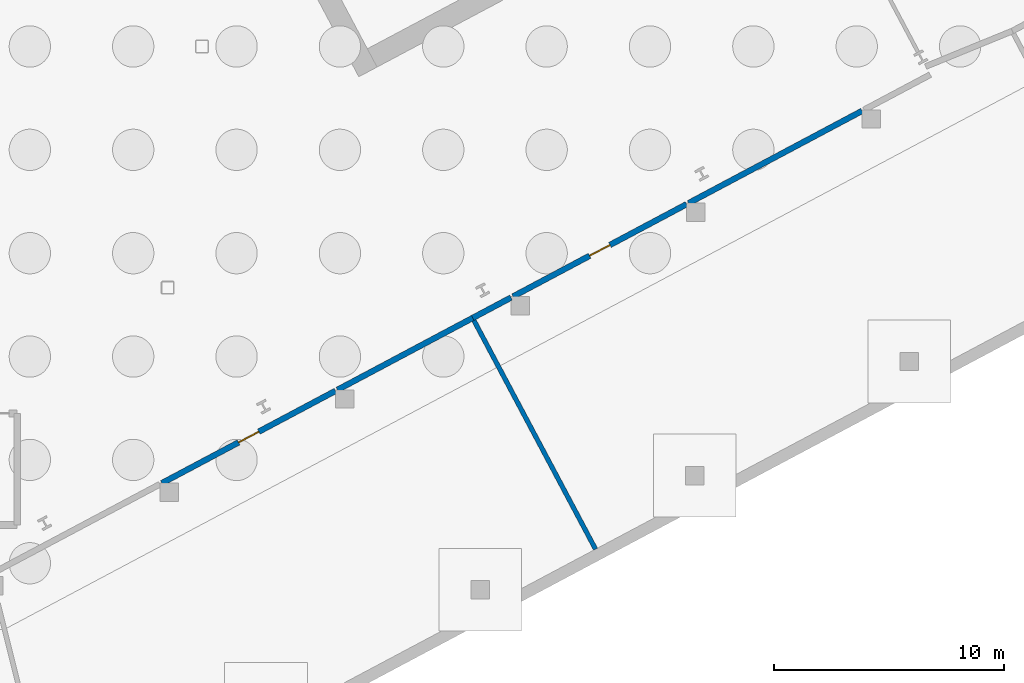
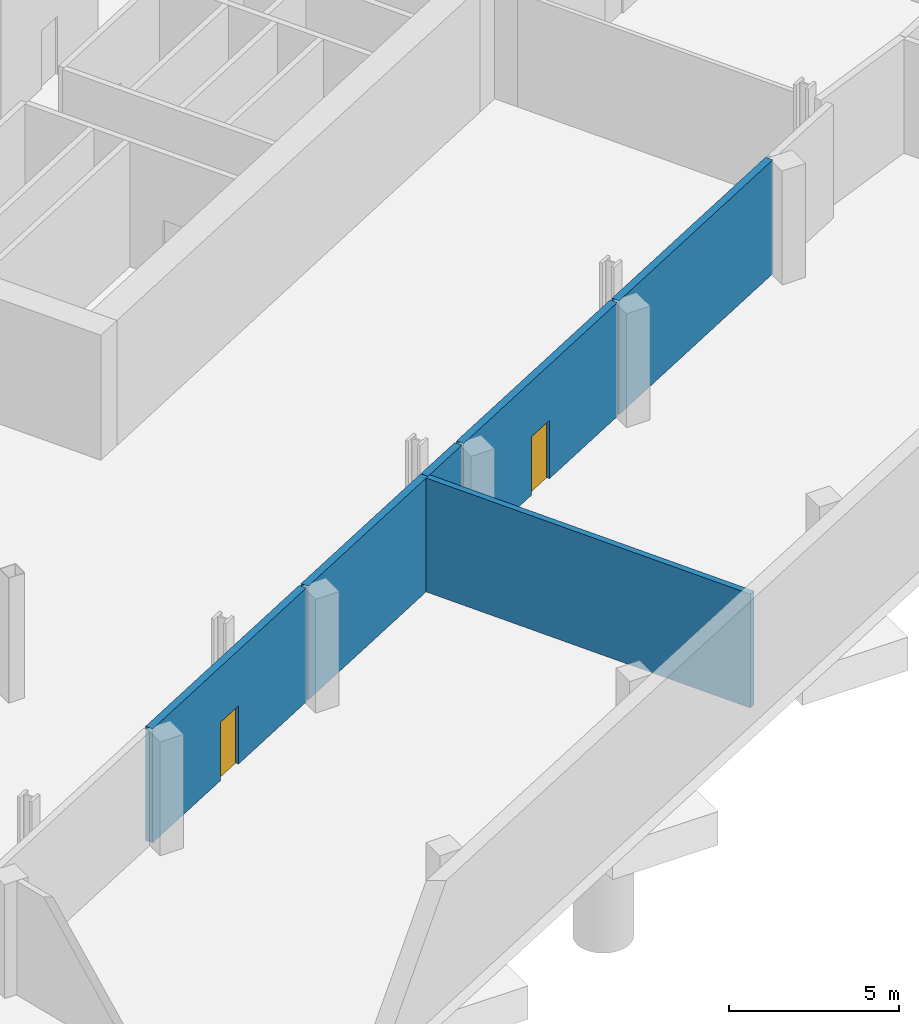
# One storey, part 12 of 29: 6 walls, 2 doors, 2 openings.
"""IFC4 building model written with IfcOpenShell, lengths in metres."""

import ifcopenshell
import ifcopenshell.guid

model = None  # the IFC model being written
_history = None  # IfcOwnerHistory: only IFC2X3 demands one
_inside = {}  # id of a spatial element -> (the spatial element, [elements in it])
_under = {}  # id of a project, library or spatial element -> (it, [spatial elements below it])
_declared = {}  # id of a project -> (the project, [libraries it declares])
_typed = {}  # id of a type object -> (the type object, [elements of that type])
_made_of = {}  # id of a material, layer set ... -> (it, [elements and type objects made of it])


def new_model(schema):
    """Start an empty IFC model of exactly this schema.

    Asked for "IFC4X3", IfcOpenShell would pick the latest addendum, in which some entities
    have other attributes; the version numbers below select the first issue.
    IFC2X3 requires an IfcOwnerHistory on every rooted entity: one is made here for all.
    """
    global model, _history
    if schema == "IFC4X3":
        model = ifcopenshell.file(schema_version=(4, 3, 0, 0))
    else:
        model = ifcopenshell.file(schema=schema)
    _inside.clear()
    _under.clear()
    _declared.clear()
    _typed.clear()
    _made_of.clear()
    _history = None
    if model.schema == "IFC2X3":
        org = make("IfcOrganization", Name="unknown")
        user = make(
            "IfcPersonAndOrganization",
            ThePerson=make("IfcPerson", FamilyName="unknown"),
            TheOrganization=org,
        )
        app = make(
            "IfcApplication",
            ApplicationDeveloper=org,
            Version="unknown",
            ApplicationFullName="unknown",
            ApplicationIdentifier="unknown",
        )
        _history = make(
            "IfcOwnerHistory",
            OwningUser=user,
            OwningApplication=app,
            ChangeAction="ADDED",
            CreationDate=0,
        )
    return model


def make(cls, **values):
    """One entity of the class cls with the attributes given. An attribute that is None is left unset."""
    return model.create_entity(
        cls, **{name: value for name, value in values.items() if value is not None}
    )


def rooted(cls, **values):
    """An entity with a GlobalId (a new one), such as an element, a storey or a relation."""
    return make(cls, GlobalId=ifcopenshell.guid.new(), OwnerHistory=_history, **values)


def si_unit(unit_type, name, prefix=None):
    """IfcSIUnit, for example si_unit("LENGTHUNIT", "METRE", prefix="MILLI")."""
    return make("IfcSIUnit", UnitType=unit_type, Prefix=prefix, Name=name)


def assignment(units):
    """IfcUnitAssignment: the units of a project."""
    return None if units is None else make("IfcUnitAssignment", Units=units)


def point(xyz):
    """IfcCartesianPoint."""
    return None if xyz is None else make("IfcCartesianPoint", Coordinates=xyz)


def direction(xyz):
    """IfcDirection."""
    return None if xyz is None else make("IfcDirection", DirectionRatios=xyz)


def frame(location, z_axis=None, x_axis=None):
    """IfcAxis2Placement3D, a coordinate frame: its origin and axes. An axis left out is left unset."""
    return make(
        "IfcAxis2Placement3D",
        Location=point(location),
        Axis=direction(z_axis),
        RefDirection=direction(x_axis),
    )


def frame_2d(location, x_axis=None):
    """IfcAxis2Placement2D, a coordinate frame in the plane: its origin and x axis."""
    return make(
        "IfcAxis2Placement2D", Location=point(location), RefDirection=direction(x_axis)
    )


def origin():
    """The frame at (0, 0, 0) with its axes left unset."""
    return frame((0.0, 0.0, 0.0))


def place(relative_to, where):
    """IfcLocalPlacement: puts the frame where relative to a parent placement (None: the world)."""
    return make(
        "IfcLocalPlacement", PlacementRelTo=relative_to, RelativePlacement=where
    )


def context(
    kind, dimensions, precision=None, world=None, true_north=None, identifier=None
):
    """IfcGeometricRepresentationContext, for example the 3D "Model" context."""
    return make(
        "IfcGeometricRepresentationContext",
        ContextIdentifier=identifier,
        ContextType=kind,
        CoordinateSpaceDimension=dimensions,
        Precision=precision,
        WorldCoordinateSystem=world,
        TrueNorth=true_north,
    )


def subcontext(parent, identifier, kind, view, scale=None):
    """IfcGeometricRepresentationSubContext, for example "Body" below "Model"."""
    return make(
        "IfcGeometricRepresentationSubContext",
        ContextIdentifier=identifier,
        ContextType=kind,
        ParentContext=parent,
        TargetScale=scale,
        TargetView=view,
    )


def project(units=None, contexts=None):
    """IfcProject with its units and contexts."""
    return rooted(
        "IfcProject",
        Name="project",
        RepresentationContexts=contexts,
        UnitsInContext=assignment(units),
    )


def spatial(cls, under=None, at=None, **own):
    """A site, building, storey or space (cls), placed at a placement, below another one or the project."""
    s = rooted(cls, ObjectPlacement=at, **own)
    if under is not None:
        _under.setdefault(under.id(), (under, []))[1].append(s)
    return s


def profile(cls, at=None, kind="AREA", **sizes):
    """A parametric profile (cls). Its sizes go by their IFC names, for example OverallWidth=200.0."""
    return make(cls, ProfileType=kind, Position=at, **sizes)


def rectangle(**sizes):
    """IfcRectangleProfileDef."""
    return profile("IfcRectangleProfileDef", **sizes)


def extrude(swept, where, along, depth):
    """IfcExtrudedAreaSolid: the profile swept, set in the frame where, extruded along a direction by depth."""
    return make(
        "IfcExtrudedAreaSolid",
        SweptArea=swept,
        Position=where,
        ExtrudedDirection=direction(along),
        Depth=depth,
    )


def shape(context_of_items, identifier, shape_type, items):
    """IfcShapeRepresentation: the items that make up one representation, for example the "Body"."""
    return make(
        "IfcShapeRepresentation",
        ContextOfItems=context_of_items,
        RepresentationIdentifier=identifier,
        RepresentationType=shape_type,
        Items=items,
    )


def material(Name=None, Category=None):
    """IfcMaterial."""
    return make("IfcMaterial", Name=Name, Category=Category)


def layer(
    of_material, thickness, ventilated=None, Name=None, Category=None, Priority=None
):
    """IfcMaterialLayer: one layer of a wall or slab, of a material (None: an air gap)."""
    return make(
        "IfcMaterialLayer",
        Material=of_material,
        LayerThickness=thickness,
        IsVentilated=ventilated,
        Name=Name,
        Category=Category,
        Priority=Priority,
    )


def layer_set(layers, Name=None):
    """IfcMaterialLayerSet."""
    return make("IfcMaterialLayerSet", MaterialLayers=layers, LayerSetName=Name)


def made_of(thing, what):
    """Note that an element or type object is made of a material, layer set ...; save() writes the relation."""
    if what is not None:
        _made_of.setdefault(what.id(), (what, []))[1].append(thing)
    return thing


def type_object(cls, material=None, **own):
    """A type object (cls), such as IfcWallType, which elements share."""
    return made_of(rooted(cls, **own), material)


def element(
    cls,
    number,
    at=None,
    inside=None,
    cuts=None,
    type_object=None,
    material=None,
    context=None,
    identifier="Body",
    shape_type=None,
    held_by="IfcProductDefinitionShape",
    body=None,
    shapes=None,
    **own,
):
    """One element of the class cls, such as IfcWall. Its Tag is "e" and its number.

    at: its placement. inside: the storey or other place that contains it. cuts: it is an
    opening in that element (IfcRelVoidsElement). A single representation is given by context,
    identifier, shape_type and body (its items); several are given by shapes. held_by: the class
    of the entity that holds the representations. save() writes the other relations.
    """
    e = rooted(cls, Tag="e%d" % number, ObjectPlacement=at, **own)
    if body is not None:
        shapes = [shape(context, identifier, shape_type, body)]
    if shapes is not None:
        e.Representation = make(held_by, Representations=shapes)
    if inside is not None:
        _inside.setdefault(inside.id(), (inside, []))[1].append(e)
    if cuts is not None:
        rooted(
            "IfcRelVoidsElement", RelatingBuildingElement=cuts, RelatedOpeningElement=e
        )
    if type_object is not None:
        _typed.setdefault(type_object.id(), (type_object, []))[1].append(e)
    return made_of(e, material)


def fill(opening, filler):
    """IfcRelFillsElement: the door or window that sits in an opening."""
    return rooted(
        "IfcRelFillsElement",
        RelatingOpeningElement=opening,
        RelatedBuildingElement=filler,
    )


def aggregate(whole, parts):
    """IfcRelAggregates: a whole, such as a stair, and the parts it consists of."""
    return rooted("IfcRelAggregates", RelatingObject=whole, RelatedObjects=parts)


def save(model, path):
    """Write the relations noted so far, then the file.

    IfcRelAggregates (storeys below a building ...), IfcRelContainedInSpatialStructure (elements
    in a storey), IfcRelDefinesByType, IfcRelAssociatesMaterial and IfcRelDeclares: one each for
    every whole, place, type object, material and project.
    """
    for whole, parts in _under.values():
        aggregate(whole, parts)
    for where, things in _inside.values():
        rooted(
            "IfcRelContainedInSpatialStructure",
            RelatedElements=things,
            RelatingStructure=where,
        )
    for kind, things in _typed.values():
        rooted("IfcRelDefinesByType", RelatedObjects=things, RelatingType=kind)
    for what, things in _made_of.values():
        rooted("IfcRelAssociatesMaterial", RelatedObjects=things, RelatingMaterial=what)
    for by, libraries in _declared.values():
        rooted("IfcRelDeclares", RelatingContext=by, RelatedDefinitions=libraries)
    model.write(path)


model = new_model("IFC4")

# Units and contexts
model_context = context("Model", 3, precision=1e-05, world=origin(), true_north=direction((0.0, 1.0)))
body_context = subcontext(model_context, "Body", "Model", "MODEL_VIEW")
ifc_project = project(units=[si_unit("LENGTHUNIT", "METRE"), si_unit("AREAUNIT", "SQUARE_METRE"), si_unit("VOLUMEUNIT", "CUBIC_METRE"), si_unit("PLANEANGLEUNIT", "RADIAN"), si_unit("MASSUNIT", "GRAM", prefix="KILO")], contexts=[model_context])

# Site, building, storey
site_placement = place(None, origin())
site = spatial("IfcSite", under=ifc_project, at=site_placement, CompositionType="ELEMENT")
building_placement = place(site_placement, origin())
building = spatial("IfcBuilding", under=site, at=building_placement, Name="Cormorant Relay Tower", CompositionType="ELEMENT")
storey_placement = place(building_placement, frame((0.0, 0.0, -9.0)))
storey = spatial("IfcBuildingStorey", under=building, at=storey_placement, Name="B2", CompositionType="ELEMENT", Elevation=-9.0)

# Wall
ifc_material_1 = material(Name="Concrete masonry 20 MPa", Category="masonry")
ifc_layer_1 = layer(ifc_material_1, 0.25)
ifc_layer_set_1 = layer_set([ifc_layer_1], Name="Fire separation wall 250")
wall_type_1 = type_object("IfcWallType", Name="Fire separation wall 250", PredefinedType="SOLIDWALL", material=ifc_layer_set_1)
wall_1_placement = place(storey_placement, frame((23.781005859375, -11.819091796875, 0.0), z_axis=(0.0, 0.0, 1.0), x_axis=(-0.882996705644, -0.469379183413, 0.0)))
element("IfcWall", 1, at=wall_1_placement, inside=storey, type_object=wall_type_1, Name="Partition", PredefinedType="SOLIDWALL", context=body_context, shape_type="SweptSolid", body=[
    extrude(rectangle(XDim=6.668212890625, YDim=0.25, at=frame_2d((3.333984375, 0.0))), origin(), (0.0, 0.0, 1.0), 4.10009765625),
])

# Wall, opening, door
wall_2_placement = place(storey_placement, frame((17.806884765625, -14.994873046875, 0.0), z_axis=(0.0, 0.0, 1.0), x_axis=(-0.882988627018, -0.46939438062, 0.0)))
wall_2 = element("IfcWall", 2, at=wall_2_placement, inside=storey, type_object=wall_type_1, Name="Partition", PredefinedType="SOLIDWALL", context=body_context, shape_type="SweptSolid", body=[
    extrude(rectangle(XDim=8.55810546875, YDim=0.25, at=frame_2d((4.279052734375, 0.0))), origin(), (0.0, 0.0, 1.0), 4.10009765625),
])
opening_1_placement = place(wall_2_placement, frame((3.779052734375, 0.0, 0.0)))
opening_1 = element("IfcOpeningElement", 3, at=opening_1_placement, cuts=wall_2, Name="Opening PD1-001", PredefinedType="OPENING", context=body_context, shape_type="SweptSolid", body=[
    extrude(rectangle(XDim=1.0, YDim=2.10009765625, at=frame_2d((0.5, 1.050048828125))), frame((0.0, 0.135009765625, 0.0), z_axis=(0.0, -1.0, 0.0), x_axis=(1.0, 0.0, 0.0)), (0.0, 0.0, 1.0), 0.27001953125),
])
ifc_material_2 = material(Name="Steel door leaf", Category="steel")
door_type = type_object("IfcDoorType", Name="Door single 1000", OperationType="SINGLE_SWING_LEFT", PredefinedType="DOOR", material=ifc_material_2)
door_1_placement = place(opening_1_placement, origin())
door_1 = element("IfcDoor", 4, at=door_1_placement, inside=storey, type_object=door_type, Name="Door", OperationType="SINGLE_SWING_LEFT", OverallHeight=2.10009765625, OverallWidth=1.0, PredefinedType="DOOR", context=body_context, shape_type="SweptSolid", body=[
    extrude(rectangle(XDim=1.0, YDim=2.10009765625, at=frame_2d((0.5, 1.050048828125))), frame((0.0, 0.02490234375, 0.0), z_axis=(0.0, -1.0, 0.0), x_axis=(1.0, 0.0, 0.0)), (0.0, 0.0, 1.0), 0.050048828125),
])
fill(opening_1, door_1)

# Wall
wall_3_placement = place(storey_placement, frame((40.73291015625, -2.805419921875, 0.0), z_axis=(0.0, 0.0, 1.0), x_axis=(-0.882943115894, -0.469479982635, 0.0)))
element("IfcWall", 5, at=wall_3_placement, inside=storey, type_object=wall_type_1, Name="Partition", PredefinedType="SOLIDWALL", context=body_context, shape_type="SweptSolid", body=[
    extrude(rectangle(XDim=8.555419921875, YDim=0.25, at=frame_2d((4.27783203125, 0.0))), origin(), (0.0, 0.0, 1.0), 4.10009765625),
])

# Wall, opening, door
wall_4_placement = place(storey_placement, frame((33.091064453125, -6.86865234375, 0.0), z_axis=(0.0, 0.0, 1.0), x_axis=(-0.882945366868, -0.469475749243, 0.0)))
wall_4 = element("IfcWall", 6, at=wall_4_placement, inside=storey, type_object=wall_type_1, Name="Partition", PredefinedType="SOLIDWALL", context=body_context, shape_type="SweptSolid", body=[
    extrude(rectangle(XDim=8.55712890625, YDim=0.25, at=frame_2d((4.278564453125, 0.0))), origin(), (0.0, 0.0, 1.0), 4.10009765625),
])
opening_2_placement = place(wall_4_placement, frame((3.779052734375, 0.0, 0.0)))
opening_2 = element("IfcOpeningElement", 7, at=opening_2_placement, cuts=wall_4, Name="Opening PD1-002", PredefinedType="OPENING", context=body_context, shape_type="SweptSolid", body=[
    extrude(rectangle(XDim=1.0, YDim=2.10009765625, at=frame_2d((0.5, 1.050048828125))), frame((0.0, 0.135009765625, 0.0), z_axis=(0.0, -1.0, 0.0), x_axis=(1.0, 0.0, 0.0)), (0.0, 0.0, 1.0), 0.27001953125),
])
door_2_placement = place(opening_2_placement, origin())
door_2 = element("IfcDoor", 8, at=door_2_placement, inside=storey, type_object=door_type, Name="Door", OperationType="SINGLE_SWING_RIGHT", OverallHeight=2.10009765625, OverallWidth=1.0, PredefinedType="DOOR", context=body_context, shape_type="SweptSolid", body=[
    extrude(rectangle(XDim=1.0, YDim=2.10009765625, at=frame_2d((0.5, 1.050048828125))), frame((0.0, 0.02490234375, 0.0), z_axis=(0.0, -1.0, 0.0), x_axis=(1.0, 0.0, 0.0)), (0.0, 0.0, 1.0), 0.050048828125),
])
fill(opening_2, door_2)

# Walls
wall_5_placement = place(storey_placement, frame((25.448974609375, -10.931884765625, 0.0), z_axis=(0.0, 0.0, 1.0), x_axis=(-0.882889505907, -0.469580792153, 0.0)))
element("IfcWall", 9, at=wall_5_placement, inside=storey, type_object=wall_type_1, Name="Partition", PredefinedType="SOLIDWALL", context=body_context, shape_type="SweptSolid", body=[
    extrude(rectangle(XDim=1.88720703125, YDim=0.25, at=frame_2d((0.943603515625, 0.0))), origin(), (0.0, 0.0, 1.0), 4.10009765625),
])
ifc_material_3 = material(Name="Concrete masonry 20 MPa", Category="masonry")
ifc_layer_2 = layer(ifc_material_3, 0.199951171875)
ifc_layer_set_2 = layer_set([ifc_layer_2], Name="Plant room wall 200")
wall_type_2 = type_object("IfcWallType", Name="Plant room wall 200", PredefinedType="PARTITIONING", material=ifc_layer_set_2)
wall_6_placement = place(storey_placement, frame((29.12939453125, -21.886474609375, 0.0), z_axis=(0.0, 0.0, 1.0), x_axis=(-0.469474097874, 0.882946244924, 0.0)))
element("IfcWall", 10, at=wall_6_placement, inside=storey, type_object=wall_type_2, Name="Partition", PredefinedType="PARTITIONING", context=body_context, shape_type="SweptSolid", body=[
    extrude(rectangle(XDim=11.400146484375, YDim=0.199951171875, at=frame_2d((5.7001953125, 0.0))), origin(), (0.0, 0.0, 1.0), 4.10009765625),
])

save(model, "model.ifc")
